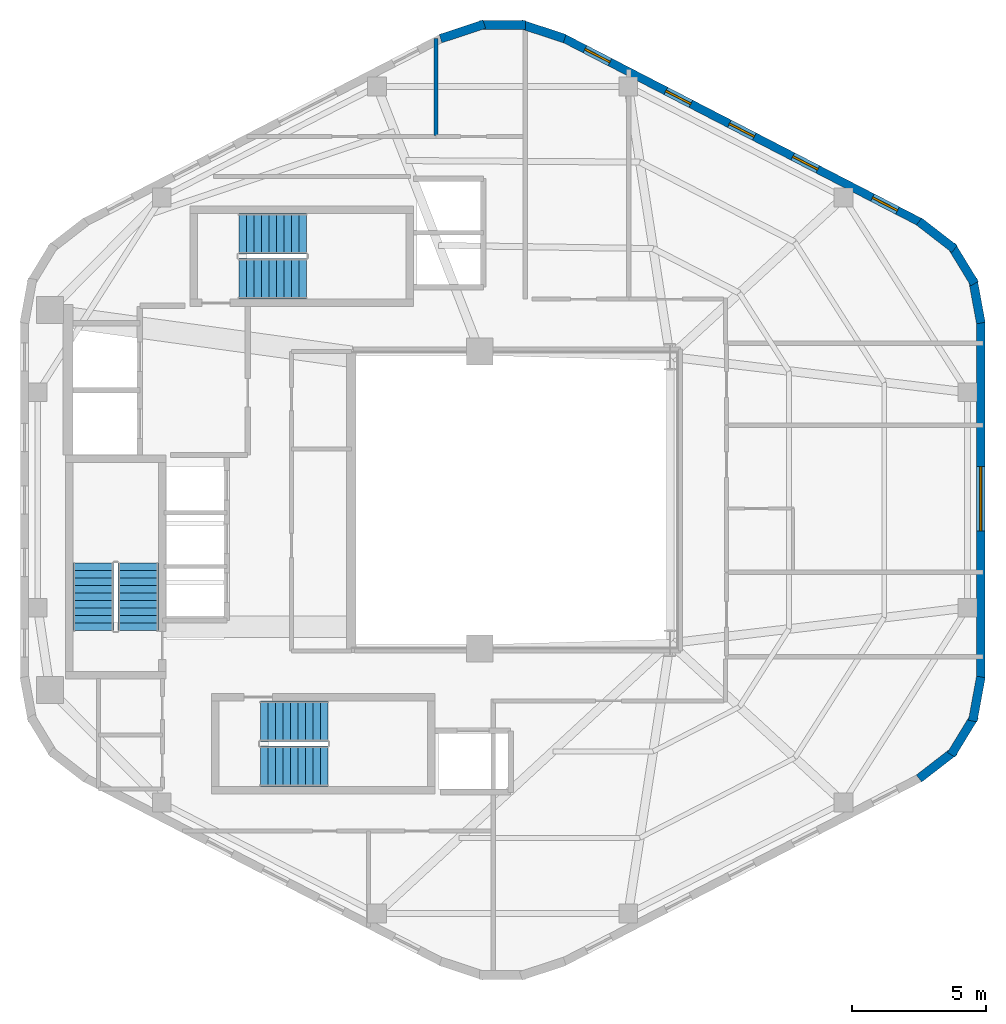
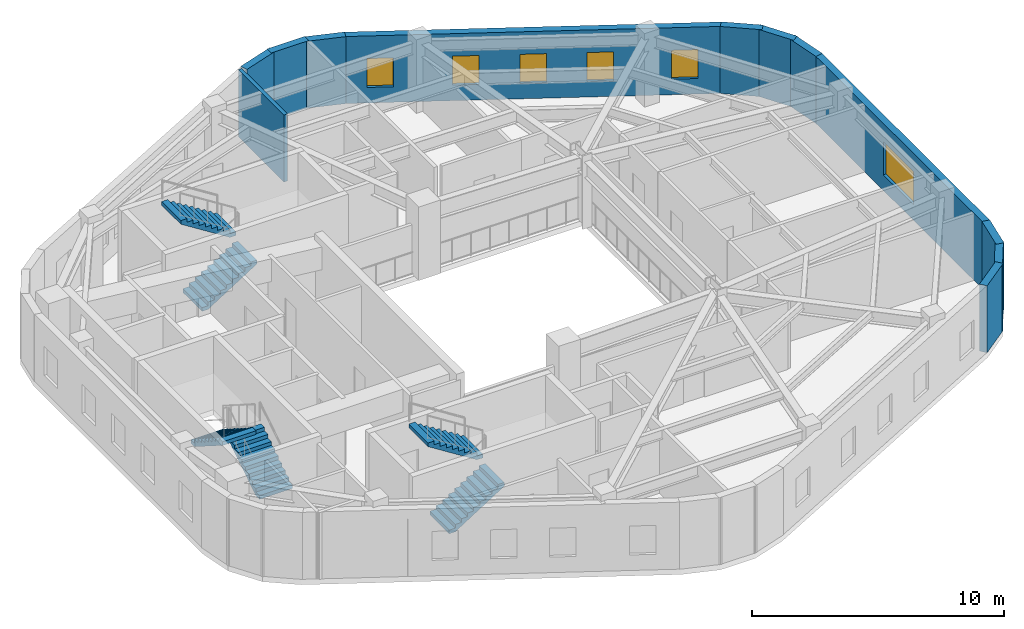
# One storey, part 5 of 6: 12 walls, 6 stair flights, 6 windows, 6 openings, 3 elements without a shape of their own.
"""IFC4 building model written with IfcOpenShell, lengths in metres."""

from ifc_helpers import new_model, si_unit, direction, frame, frame_2d, origin, place, context, subcontext, project, spatial, polyline, rectangle, outline, extrude, material, layer, layer_set, type_object, element, fill, aggregate, save


model = new_model("IFC4")

# Units and contexts
model_context = context("Model", 3, precision=1e-05, world=origin(), true_north=direction((0.0, 1.0)))
body_context = subcontext(model_context, "Body", "Model", "MODEL_VIEW")
ifc_project = project(units=[si_unit("LENGTHUNIT", "METRE"), si_unit("AREAUNIT", "SQUARE_METRE"), si_unit("VOLUMEUNIT", "CUBIC_METRE"), si_unit("PLANEANGLEUNIT", "RADIAN"), si_unit("MASSUNIT", "GRAM", prefix="KILO"), si_unit("THERMODYNAMICTEMPERATUREUNIT", "KELVIN"), si_unit("POWERUNIT", "WATT")], contexts=[model_context])

# Site, building, storey
site_placement = place(None, origin())
site = spatial("IfcSite", under=ifc_project, at=site_placement, CompositionType="ELEMENT")
building_placement = place(site_placement, origin())
building = spatial("IfcBuilding", under=site, at=building_placement, Name="Skarre Station Tower", CompositionType="ELEMENT")
storey_placement = place(building_placement, frame((0.0, 0.0, 266.75)))
storey = spatial("IfcBuildingStorey", under=building, at=storey_placement, Name="L73", CompositionType="ELEMENT", Elevation=266.75)

# Walls
ifc_material_1 = material(Name="Precast concrete C45/55", Category="concrete")
ifc_layer_1 = layer(ifc_material_1, 0.330078125, Name="Precast concrete C45/55")
ifc_layer_set_1 = layer_set([ifc_layer_1], Name="Precast concrete C45/55")
wall_type_1 = type_object("IfcWallType", Name="Nordic Rounded Corner Precast Wall 330", PredefinedType="STANDARD", material=ifc_layer_set_1)
wall_1_placement = place(storey_placement, frame((48.7529296875, 34.40087890625, 0.0), z_axis=(0.0, 0.0, 1.0), x_axis=(0.790691856293, -0.61221433207, 0.0)))
element("IfcWall", 1, at=wall_1_placement, inside=storey, type_object=wall_type_1, Name="L73 Rounded Corner Precast Wall F0-1", PredefinedType="STANDARD", context=body_context, shape_type="SweptSolid", body=[
    extrude(rectangle(XDim=1.67578125, YDim=0.330078125, at=frame_2d((0.837890625, 0.0))), origin(), (0.0, 0.0, 1.0), 3.239990234375),
])
wall_2_placement = place(storey_placement, frame((49.952880859375, 33.514892578125, 0.0), z_axis=(0.0, 0.0, 1.0), x_axis=(0.520325409202, -0.853968072318, 0.0)))
element("IfcWall", 2, at=wall_2_placement, inside=storey, type_object=wall_type_1, Name="L73 Rounded Corner Precast Wall F0-2", PredefinedType="STANDARD", context=body_context, shape_type="SweptSolid", body=[
    extrude(rectangle(XDim=1.677978515625, YDim=0.330078125, at=frame_2d((0.8388671875, 0.0))), origin(), (0.0, 0.0, 1.0), 3.239990234375),
])
wall_3_placement = place(storey_placement, frame((50.759033203125, 32.257080078125, 0.0), z_axis=(0.0, 0.0, 1.0), x_axis=(0.180691763044, -0.983539773862, 0.0)))
element("IfcWall", 3, at=wall_3_placement, inside=storey, type_object=wall_type_1, Name="L73 Rounded Corner Precast Wall F0-3", PredefinedType="STANDARD", context=body_context, shape_type="SweptSolid", body=[
    extrude(rectangle(XDim=1.6767578125, YDim=0.330078125, at=frame_2d((0.83837890625, 0.0))), origin(), (0.0, 0.0, 1.0), 3.239990234375),
])
wall_4_placement = place(storey_placement, frame((30.882080078125, 41.23095703125, 0.0), z_axis=(0.0, 0.0, 1.0), x_axis=(0.949713440491, 0.313120393699, 0.0)))
element("IfcWall", 4, at=wall_4_placement, inside=storey, type_object=wall_type_1, Name="L73 Rounded Corner Precast Wall F1-1", PredefinedType="STANDARD", context=body_context, shape_type="SweptSolid", body=[
    extrude(rectangle(XDim=1.7216796875, YDim=0.330078125, at=frame_2d((0.86083984375, 0.0))), origin(), (0.0, 0.0, 1.0), 3.239990234375),
])
wall_5_placement = place(storey_placement, frame((32.339111328125, 41.740966796875, 0.0), z_axis=(0.0, 0.0, 1.0), x_axis=(1.0, 0.0, 0.0)))
element("IfcWall", 5, at=wall_5_placement, inside=storey, type_object=wall_type_1, Name="L73 Rounded Corner Precast Wall F1-2", PredefinedType="STANDARD", context=body_context, shape_type="SweptSolid", body=[
    extrude(rectangle(XDim=1.721923828125, YDim=0.330078125, at=frame_2d((0.86083984375, 0.0))), origin(), (0.0, 0.0, 1.0), 3.239990234375),
])
wall_6_placement = place(storey_placement, frame((33.883056640625, 41.77001953125, 0.0), z_axis=(0.0, 0.0, 1.0), x_axis=(0.949713440491, -0.313120393699, 0.0)))
element("IfcWall", 6, at=wall_6_placement, inside=storey, type_object=wall_type_1, Name="L73 Rounded Corner Precast Wall F1-3", PredefinedType="STANDARD", context=body_context, shape_type="SweptSolid", body=[
    extrude(rectangle(XDim=1.7216796875, YDim=0.330078125, at=frame_2d((0.86083984375, 0.0))), origin(), (0.0, 0.0, 1.0), 3.239990234375),
])
wall_7_placement = place(storey_placement, frame((51.06201171875, 17.39208984375, 0.0), z_axis=(0.0, 0.0, 1.0), x_axis=(-0.180691763044, -0.983539773862, 0.0)))
element("IfcWall", 7, at=wall_7_placement, inside=storey, type_object=wall_type_1, Name="L73 Rounded Corner Precast Wall F5-1", PredefinedType="STANDARD", context=body_context, shape_type="SweptSolid", body=[
    extrude(rectangle(XDim=1.6767578125, YDim=0.330078125, at=frame_2d((0.83837890625, 0.0))), origin(), (0.0, 0.0, 1.0), 3.239990234375),
])
wall_8_placement = place(storey_placement, frame((50.825927734375, 15.91796875, 0.0), z_axis=(0.0, 0.0, 1.0), x_axis=(-0.520325409202, -0.853968072318, 0.0)))
element("IfcWall", 8, at=wall_8_placement, inside=storey, type_object=wall_type_1, Name="L73 Rounded Corner Precast Wall F5-2", PredefinedType="STANDARD", context=body_context, shape_type="SweptSolid", body=[
    extrude(rectangle(XDim=1.677978515625, YDim=0.330078125, at=frame_2d((0.8388671875, 0.0))), origin(), (0.0, 0.0, 1.0), 3.239990234375),
])
wall_9_placement = place(storey_placement, frame((50.077880859375, 14.625, 0.0), z_axis=(0.0, 0.0, 1.0), x_axis=(-0.790691856293, -0.61221433207, 0.0)))
element("IfcWall", 9, at=wall_9_placement, inside=storey, type_object=wall_type_1, Name="L73 Rounded Corner Precast Wall F5-3", PredefinedType="STANDARD", context=body_context, shape_type="SweptSolid", body=[
    extrude(rectangle(XDim=1.67578125, YDim=0.330078125, at=frame_2d((0.837890625, 0.0))), origin(), (0.0, 0.0, 1.0), 3.239990234375),
])

# Wall, openings, windows
ifc_layer_2 = layer(ifc_material_1, 0.31005859375, Name="Precast concrete C45/55")
ifc_layer_set_2 = layer_set([ifc_layer_2], Name="Precast concrete C45/55")
wall_type_2 = type_object("IfcWallType", Name="Nordic Upper-Zone Precast Facet Wall 310", PredefinedType="STANDARD", material=ifc_layer_set_2)
wall_10_placement = place(storey_placement, frame((35.43701171875, 41.27001953125, 0.0), z_axis=(0.0, 0.0, 1.0), x_axis=(0.888581481622, -0.458718814218, 0.0)))
wall_10 = element("IfcWall", 10, at=wall_10_placement, inside=storey, type_object=wall_type_2, Name="L73 Facet 0 Nordic Precast Masonry Wall", PredefinedType="STANDARD", context=body_context, shape_type="SweptSolid", body=[
    extrude(rectangle(XDim=15.076904296875, YDim=0.31005859375, at=frame_2d((7.53857421875, 0.0))), origin(), (0.0, 0.0, 1.0), 3.239990234375),
])
opening_1_placement = place(wall_10_placement, frame((0.94189453125, 0.0, 0.75)))
opening_1 = element("IfcOpeningElement", 11, at=opening_1_placement, cuts=wall_10, Name="Opening WN-SLT", PredefinedType="OPENING", context=body_context, shape_type="SweptSolid", body=[
    extrude(rectangle(XDim=1.050048828125, YDim=1.39990234375, at=frame_2d((0.52490234375, 0.699951171875))), frame((0.0, 0.1650390625, 0.0), z_axis=(0.0, -1.0, 0.0), x_axis=(1.0, 0.0, 0.0)), (0.0, 0.0, 1.0), 0.330078125),
])
opening_2_placement = place(wall_10_placement, frame((4.343994140625, 0.0, 0.75)))
opening_2 = element("IfcOpeningElement", 12, at=opening_2_placement, cuts=wall_10, Name="Opening WN-SLT", PredefinedType="OPENING", context=body_context, shape_type="SweptSolid", body=[
    extrude(rectangle(XDim=1.050048828125, YDim=1.39990234375, at=frame_2d((0.52490234375, 0.699951171875))), frame((0.0, 0.1650390625, 0.0), z_axis=(0.0, -1.0, 0.0), x_axis=(1.0, 0.0, 0.0)), (0.0, 0.0, 1.0), 0.330078125),
])
opening_3_placement = place(wall_10_placement, frame((7.012939453125, 0.0, 0.75)))
opening_3 = element("IfcOpeningElement", 13, at=opening_3_placement, cuts=wall_10, Name="Opening WN-SLT", PredefinedType="OPENING", context=body_context, shape_type="SweptSolid", body=[
    extrude(rectangle(XDim=1.050048828125, YDim=1.39990234375, at=frame_2d((0.52490234375, 0.699951171875))), frame((0.0, 0.1650390625, 0.0), z_axis=(0.0, -1.0, 0.0), x_axis=(1.0, 0.0, 0.0)), (0.0, 0.0, 1.0), 0.330078125),
])
opening_4_placement = place(wall_10_placement, frame((9.680908203125, 0.0, 0.75)))
opening_4 = element("IfcOpeningElement", 14, at=opening_4_placement, cuts=wall_10, Name="Opening WN-SLT", PredefinedType="OPENING", context=body_context, shape_type="SweptSolid", body=[
    extrude(rectangle(XDim=1.050048828125, YDim=1.39990234375, at=frame_2d((0.52490234375, 0.699951171875))), frame((0.0, 0.1650390625, 0.0), z_axis=(0.0, -1.0, 0.0), x_axis=(1.0, 0.0, 0.0)), (0.0, 0.0, 1.0), 0.330078125),
])
opening_5_placement = place(wall_10_placement, frame((13.029052734375, 0.0, 0.75)))
opening_5 = element("IfcOpeningElement", 15, at=opening_5_placement, cuts=wall_10, Name="Opening WN-SLT", PredefinedType="OPENING", context=body_context, shape_type="SweptSolid", body=[
    extrude(rectangle(XDim=1.050048828125, YDim=1.39990234375, at=frame_2d((0.52490234375, 0.699951171875))), frame((0.0, 0.1650390625, 0.0), z_axis=(0.0, -1.0, 0.0), x_axis=(1.0, 0.0, 0.0)), (0.0, 0.0, 1.0), 0.330078125),
])
ifc_material_2 = material(Name="Low-Iron Triple Glazing with Bronze Anodized Frame", Category="glass")
window_type_1 = type_object("IfcWindowType", Name="Nordic Corner Slot Window 1050x1400", PartitioningType="SINGLE_PANEL", PredefinedType="WINDOW", material=ifc_material_2)
window_1_placement = place(opening_1_placement, origin())
window_1 = element("IfcWindow", 16, at=window_1_placement, inside=storey, type_object=window_type_1, Name="L73 Facade Window WL-FAC-L73-F0-1", OverallHeight=1.39990234375, OverallWidth=1.050048828125, PartitioningType="SINGLE_PANEL", PredefinedType="WINDOW", context=body_context, shape_type="SweptSolid", body=[
    extrude(rectangle(XDim=1.050048828125, YDim=1.39990234375, at=frame_2d((0.52490234375, 0.699951171875))), frame((0.0, 0.030029296875, 0.0), z_axis=(0.0, -1.0, 0.0), x_axis=(1.0, 0.0, 0.0)), (0.0, 0.0, 1.0), 0.06005859375),
])
fill(opening_1, window_1)
window_2_placement = place(opening_2_placement, origin())
window_2 = element("IfcWindow", 17, at=window_2_placement, inside=storey, type_object=window_type_1, Name="L73 Facade Window WL-FAC-L73-F0-2", OverallHeight=1.39990234375, OverallWidth=1.050048828125, PartitioningType="SINGLE_PANEL", PredefinedType="WINDOW", context=body_context, shape_type="SweptSolid", body=[
    extrude(rectangle(XDim=1.050048828125, YDim=1.39990234375, at=frame_2d((0.52490234375, 0.699951171875))), frame((0.0, 0.030029296875, 0.0), z_axis=(0.0, -1.0, 0.0), x_axis=(1.0, 0.0, 0.0)), (0.0, 0.0, 1.0), 0.06005859375),
])
fill(opening_2, window_2)
window_3_placement = place(opening_3_placement, origin())
window_3 = element("IfcWindow", 18, at=window_3_placement, inside=storey, type_object=window_type_1, Name="L73 Facade Window WL-FAC-L73-F0-3", OverallHeight=1.39990234375, OverallWidth=1.050048828125, PartitioningType="SINGLE_PANEL", PredefinedType="WINDOW", context=body_context, shape_type="SweptSolid", body=[
    extrude(rectangle(XDim=1.050048828125, YDim=1.39990234375, at=frame_2d((0.52490234375, 0.699951171875))), frame((0.0, 0.030029296875, 0.0), z_axis=(0.0, -1.0, 0.0), x_axis=(1.0, 0.0, 0.0)), (0.0, 0.0, 1.0), 0.06005859375),
])
fill(opening_3, window_3)
window_4_placement = place(opening_4_placement, origin())
window_4 = element("IfcWindow", 19, at=window_4_placement, inside=storey, type_object=window_type_1, Name="L73 Facade Window WL-FAC-L73-F0-4", OverallHeight=1.39990234375, OverallWidth=1.050048828125, PartitioningType="SINGLE_PANEL", PredefinedType="WINDOW", context=body_context, shape_type="SweptSolid", body=[
    extrude(rectangle(XDim=1.050048828125, YDim=1.39990234375, at=frame_2d((0.52490234375, 0.699951171875))), frame((0.0, 0.030029296875, 0.0), z_axis=(0.0, -1.0, 0.0), x_axis=(1.0, 0.0, 0.0)), (0.0, 0.0, 1.0), 0.06005859375),
])
fill(opening_4, window_4)
window_5_placement = place(opening_5_placement, origin())
window_5 = element("IfcWindow", 20, at=window_5_placement, inside=storey, type_object=window_type_1, Name="L73 Facade Window WL-FAC-L73-F0-5", OverallHeight=1.39990234375, OverallWidth=1.050048828125, PartitioningType="SINGLE_PANEL", PredefinedType="WINDOW", context=body_context, shape_type="SweptSolid", body=[
    extrude(rectangle(XDim=1.050048828125, YDim=1.39990234375, at=frame_2d((0.52490234375, 0.699951171875))), frame((0.0, 0.030029296875, 0.0), z_axis=(0.0, -1.0, 0.0), x_axis=(1.0, 0.0, 0.0)), (0.0, 0.0, 1.0), 0.06005859375),
])
fill(opening_5, window_5)

# Wall, opening, window
wall_11_placement = place(storey_placement, frame((51.05810546875, 30.701904296875, 0.0), z_axis=(0.0, 0.0, 1.0), x_axis=(0.0, -1.0, 0.0)))
wall_11 = element("IfcWall", 21, at=wall_11_placement, inside=storey, type_object=wall_type_2, Name="L73 Facet 5 Nordic Precast Masonry Wall", PredefinedType="STANDARD", context=body_context, shape_type="SweptSolid", body=[
    extrude(rectangle(XDim=13.40380859375, YDim=0.31005859375, at=frame_2d((6.701904296875, 0.0))), origin(), (0.0, 0.0, 1.0), 3.239990234375),
])
opening_6_placement = place(wall_11_placement, frame((5.455078125, 0.0, 0.75)))
opening_6 = element("IfcOpeningElement", 22, at=opening_6_placement, cuts=wall_11, Name="Opening WN-Z4A", PredefinedType="OPENING", context=body_context, shape_type="SweptSolid", body=[
    extrude(rectangle(XDim=2.39990234375, YDim=1.60009765625, at=frame_2d((1.199951171875, 0.800048828125))), frame((0.0, 0.1650390625, 0.0), z_axis=(0.0, -1.0, 0.0), x_axis=(1.0, 0.0, 0.0)), (0.0, 0.0, 1.0), 0.330078125),
])
window_type_2 = type_object("IfcWindowType", Name="Nordic Crown Panorama Window 2400x1600", PartitioningType="SINGLE_PANEL", PredefinedType="WINDOW", material=ifc_material_2)
window_6_placement = place(opening_6_placement, origin())
window_6 = element("IfcWindow", 23, at=window_6_placement, inside=storey, type_object=window_type_2, Name="L73 Facade Window WL-FAC-L73-F5-1", OverallHeight=1.60009765625, OverallWidth=2.39990234375, PartitioningType="SINGLE_PANEL", PredefinedType="WINDOW", context=body_context, shape_type="SweptSolid", body=[
    extrude(rectangle(XDim=2.39990234375, YDim=1.60009765625, at=frame_2d((1.199951171875, 0.800048828125))), frame((0.0, 0.030029296875, 0.0), z_axis=(0.0, -1.0, 0.0), x_axis=(1.0, 0.0, 0.0)), (0.0, 0.0, 1.0), 0.06005859375),
])
fill(opening_6, window_6)

# Wall
ifc_material_3 = material(Name="Acoustic Steel-Stud Gypsum Partition", Category="steel")
ifc_layer_3 = layer(ifc_material_3, 0.1650390625, Name="Acoustic Steel-Stud Gypsum Partition")
ifc_layer_set_3 = layer_set([ifc_layer_3], Name="Acoustic Steel-Stud Gypsum Partition")
wall_type_3 = type_object("IfcWallType", Name="Suite Demising Acoustic Partition 165", PredefinedType="PARTITIONING", material=ifc_layer_set_3)
wall_12_placement = place(storey_placement, frame((30.712890625, 37.610107421875, 0.0), z_axis=(0.0, 0.0, 1.0), x_axis=(0.0, 1.0, 0.0)))
element("IfcWall", 24, at=wall_12_placement, inside=storey, type_object=wall_type_3, Name="L73 Interior Partition WL-PT-L73-NWW-P1", PredefinedType="PARTITIONING", context=body_context, shape_type="SweptSolid", body=[
    extrude(rectangle(XDim=3.626953125, YDim=0.1650390625, at=frame_2d((1.8134765625, 0.0))), origin(), (0.0, 0.0, 1.0), 3.239990234375),
])

# Stair, stair flights
ifc_material_4 = material(Name="Concrete C40/50", Category="concrete")
stair_type_1 = type_object("IfcStairType", Name="Reinforced Concrete Exit Stair ST-1", PredefinedType="HALF_TURN_STAIR", material=ifc_material_4)
stair_1_placement = place(storey_placement, origin())
stair_1 = element("IfcStair", 25, at=stair_1_placement, inside=storey, type_object=stair_type_1, Name="L73 Core Exit Stair ST-1", PredefinedType="HALF_TURN_STAIR")
stair_flight_type_1 = type_object("IfcStairFlightType", Name="Reinforced Concrete Stair Flight ST-1", PredefinedType="STRAIGHT", material=ifc_material_4)
stair_flight_1_placement = place(storey_placement, frame((19.590087890625, 19.1201171875, 0.0), z_axis=(0.0, 0.0, 1.0), x_axis=(0.0, 1.0, 0.0)))
stair_flight_1 = element("IfcStairFlight", 26, at=stair_flight_1_placement, type_object=stair_flight_type_1, Name="ST-1 flight 1", NumberOfRisers=10, NumberOfTreads=9, PredefinedType="STRAIGHT", RiserHeight=0.1775, TreadLength=0.28, context=body_context, shape_type="SweptSolid", body=[
    extrude(outline(polyline([(0.0, 0.0), (0.0, 0.177490234375), (0.280029296875, 0.177490234375), (0.280029296875, 0.35498046875), (0.56005859375, 0.35498046875), (0.56005859375, 0.532470703125), (0.840087890625, 0.532470703125), (0.840087890625, 0.7099609375), (1.1201171875, 0.7099609375), (1.1201171875, 0.887451171875), (1.39990234375, 0.887451171875), (1.39990234375, 1.06494140625), (1.679931640625, 1.06494140625), (1.679931640625, 1.242431640625), (1.9599609375, 1.242431640625), (1.9599609375, 1.419921875), (2.239990234375, 1.419921875), (2.239990234375, 1.597412109375), (2.52001953125, 1.597412109375), (2.52001953125, 1.77490234375), (2.52001953125, 1.419921875), (0.280029296875, 0.0), (0.0, 0.0)])), frame((0.0, 0.760009765625, 0.0), z_axis=(0.0, -1.0, 0.0), x_axis=(1.0, 0.0, 0.0)), (0.0, 0.0, 1.0), 1.52001953125),
])
stair_flight_2_placement = place(storey_placement, frame((17.909912109375, 21.639892578125, 1.77490234375), z_axis=(0.0, 0.0, 1.0), x_axis=(0.0, -1.0, 0.0)))
stair_flight_2 = element("IfcStairFlight", 27, at=stair_flight_2_placement, type_object=stair_flight_type_1, Name="ST-1 flight 2", NumberOfRisers=10, NumberOfTreads=9, PredefinedType="STRAIGHT", RiserHeight=0.1775, TreadLength=0.28, context=body_context, shape_type="SweptSolid", body=[
    extrude(outline(polyline([(0.0, 0.0), (0.0, 0.177490234375), (0.280029296875, 0.177490234375), (0.280029296875, 0.35498046875), (0.56005859375, 0.35498046875), (0.56005859375, 0.532470703125), (0.840087890625, 0.532470703125), (0.840087890625, 0.7099609375), (1.1201171875, 0.7099609375), (1.1201171875, 0.887451171875), (1.39990234375, 0.887451171875), (1.39990234375, 1.06494140625), (1.679931640625, 1.06494140625), (1.679931640625, 1.242431640625), (1.9599609375, 1.242431640625), (1.9599609375, 1.419921875), (2.239990234375, 1.419921875), (2.239990234375, 1.597412109375), (2.52001953125, 1.597412109375), (2.52001953125, 1.77490234375), (2.52001953125, 1.419921875), (0.280029296875, 0.0), (0.0, 0.0)])), frame((0.0, 0.760009765625, 0.0), z_axis=(0.0, -1.0, 0.0), x_axis=(1.0, 0.0, 0.0)), (0.0, 0.0, 1.0), 1.52001953125),
])
aggregate(stair_1, [stair_flight_1, stair_flight_2])

stair_type_2 = type_object("IfcStairType", Name="Reinforced Concrete Exit Stair ST-2", PredefinedType="HALF_TURN_STAIR", material=ifc_material_4)
stair_2_placement = place(storey_placement, origin())
stair_2 = element("IfcStair", 28, at=stair_2_placement, inside=storey, type_object=stair_type_2, Name="L73 Core Exit Stair ST-2", PredefinedType="HALF_TURN_STAIR")
stair_flight_type_2 = type_object("IfcStairFlightType", Name="Reinforced Concrete Stair Flight ST-2", PredefinedType="STRAIGHT", material=ifc_material_4)
stair_flight_3_placement = place(storey_placement, frame((24.14990234375, 14.06005859375, 0.0), z_axis=(0.0, 0.0, 1.0), x_axis=(1.0, 0.0, 0.0)))
stair_flight_3 = element("IfcStairFlight", 29, at=stair_flight_3_placement, type_object=stair_flight_type_2, Name="ST-2 flight 1", NumberOfRisers=10, NumberOfTreads=9, PredefinedType="STRAIGHT", RiserHeight=0.1775, TreadLength=0.28, context=body_context, shape_type="SweptSolid", body=[
    extrude(outline(polyline([(0.0, 0.0), (0.0, 0.177490234375), (0.280029296875, 0.177490234375), (0.280029296875, 0.35498046875), (0.56005859375, 0.35498046875), (0.56005859375, 0.532470703125), (0.840087890625, 0.532470703125), (0.840087890625, 0.7099609375), (1.1201171875, 0.7099609375), (1.1201171875, 0.887451171875), (1.39990234375, 0.887451171875), (1.39990234375, 1.06494140625), (1.679931640625, 1.06494140625), (1.679931640625, 1.242431640625), (1.9599609375, 1.242431640625), (1.9599609375, 1.419921875), (2.239990234375, 1.419921875), (2.239990234375, 1.597412109375), (2.52001953125, 1.597412109375), (2.52001953125, 1.77490234375), (2.52001953125, 1.419921875), (0.280029296875, 0.0), (0.0, 0.0)])), frame((0.0, 0.760009765625, 0.0), z_axis=(0.0, -1.0, 0.0), x_axis=(1.0, 0.0, 0.0)), (0.0, 0.0, 1.0), 1.52001953125),
])
stair_flight_4_placement = place(storey_placement, frame((26.669921875, 15.739990234375, 1.77490234375), z_axis=(0.0, 0.0, 1.0), x_axis=(-1.0, 0.0, 0.0)))
stair_flight_4 = element("IfcStairFlight", 30, at=stair_flight_4_placement, type_object=stair_flight_type_2, Name="ST-2 flight 2", NumberOfRisers=10, NumberOfTreads=9, PredefinedType="STRAIGHT", RiserHeight=0.1775, TreadLength=0.28, context=body_context, shape_type="SweptSolid", body=[
    extrude(outline(polyline([(0.0, 0.0), (0.0, 0.177490234375), (0.280029296875, 0.177490234375), (0.280029296875, 0.35498046875), (0.56005859375, 0.35498046875), (0.56005859375, 0.532470703125), (0.840087890625, 0.532470703125), (0.840087890625, 0.7099609375), (1.1201171875, 0.7099609375), (1.1201171875, 0.887451171875), (1.39990234375, 0.887451171875), (1.39990234375, 1.06494140625), (1.679931640625, 1.06494140625), (1.679931640625, 1.242431640625), (1.9599609375, 1.242431640625), (1.9599609375, 1.419921875), (2.239990234375, 1.419921875), (2.239990234375, 1.597412109375), (2.52001953125, 1.597412109375), (2.52001953125, 1.77490234375), (2.52001953125, 1.419921875), (0.280029296875, 0.0), (0.0, 0.0)])), frame((0.0, 0.760009765625, 0.0), z_axis=(0.0, -1.0, 0.0), x_axis=(1.0, 0.0, 0.0)), (0.0, 0.0, 1.0), 1.52001953125),
])
aggregate(stair_2, [stair_flight_3, stair_flight_4])

stair_type_3 = type_object("IfcStairType", Name="Reinforced Concrete Exit Stair ST-3", PredefinedType="HALF_TURN_STAIR", material=ifc_material_4)
stair_3_placement = place(storey_placement, origin())
stair_3 = element("IfcStair", 31, at=stair_3_placement, inside=storey, type_object=stair_type_3, Name="L73 Core Exit Stair ST-3", PredefinedType="HALF_TURN_STAIR")
stair_flight_type_3 = type_object("IfcStairFlightType", Name="Reinforced Concrete Stair Flight ST-3", PredefinedType="STRAIGHT", material=ifc_material_4)
stair_flight_5_placement = place(storey_placement, frame((23.35009765625, 32.260009765625, 0.0), z_axis=(0.0, 0.0, 1.0), x_axis=(1.0, 0.0, 0.0)))
stair_flight_5 = element("IfcStairFlight", 32, at=stair_flight_5_placement, type_object=stair_flight_type_3, Name="ST-3 flight 1", NumberOfRisers=10, NumberOfTreads=9, PredefinedType="STRAIGHT", RiserHeight=0.1775, TreadLength=0.28, context=body_context, shape_type="SweptSolid", body=[
    extrude(outline(polyline([(0.0, 0.0), (0.0, 0.177490234375), (0.280029296875, 0.177490234375), (0.280029296875, 0.35498046875), (0.56005859375, 0.35498046875), (0.56005859375, 0.532470703125), (0.840087890625, 0.532470703125), (0.840087890625, 0.7099609375), (1.1201171875, 0.7099609375), (1.1201171875, 0.887451171875), (1.39990234375, 0.887451171875), (1.39990234375, 1.06494140625), (1.679931640625, 1.06494140625), (1.679931640625, 1.242431640625), (1.9599609375, 1.242431640625), (1.9599609375, 1.419921875), (2.239990234375, 1.419921875), (2.239990234375, 1.597412109375), (2.52001953125, 1.597412109375), (2.52001953125, 1.77490234375), (2.52001953125, 1.419921875), (0.280029296875, 0.0), (0.0, 0.0)])), frame((0.0, 0.760009765625, 0.0), z_axis=(0.0, -1.0, 0.0), x_axis=(1.0, 0.0, 0.0)), (0.0, 0.0, 1.0), 1.52001953125),
])
stair_flight_6_placement = place(storey_placement, frame((25.8701171875, 33.93994140625, 1.77490234375), z_axis=(0.0, 0.0, 1.0), x_axis=(-1.0, 0.0, 0.0)))
stair_flight_6 = element("IfcStairFlight", 33, at=stair_flight_6_placement, type_object=stair_flight_type_3, Name="ST-3 flight 2", NumberOfRisers=10, NumberOfTreads=9, PredefinedType="STRAIGHT", RiserHeight=0.1775, TreadLength=0.28, context=body_context, shape_type="SweptSolid", body=[
    extrude(outline(polyline([(0.0, 0.0), (0.0, 0.177490234375), (0.280029296875, 0.177490234375), (0.280029296875, 0.35498046875), (0.56005859375, 0.35498046875), (0.56005859375, 0.532470703125), (0.840087890625, 0.532470703125), (0.840087890625, 0.7099609375), (1.1201171875, 0.7099609375), (1.1201171875, 0.887451171875), (1.39990234375, 0.887451171875), (1.39990234375, 1.06494140625), (1.679931640625, 1.06494140625), (1.679931640625, 1.242431640625), (1.9599609375, 1.242431640625), (1.9599609375, 1.419921875), (2.239990234375, 1.419921875), (2.239990234375, 1.597412109375), (2.52001953125, 1.597412109375), (2.52001953125, 1.77490234375), (2.52001953125, 1.419921875), (0.280029296875, 0.0), (0.0, 0.0)])), frame((0.0, 0.760009765625, 0.0), z_axis=(0.0, -1.0, 0.0), x_axis=(1.0, 0.0, 0.0)), (0.0, 0.0, 1.0), 1.52001953125),
])
aggregate(stair_3, [stair_flight_5, stair_flight_6])

save(model, "model.ifc")
